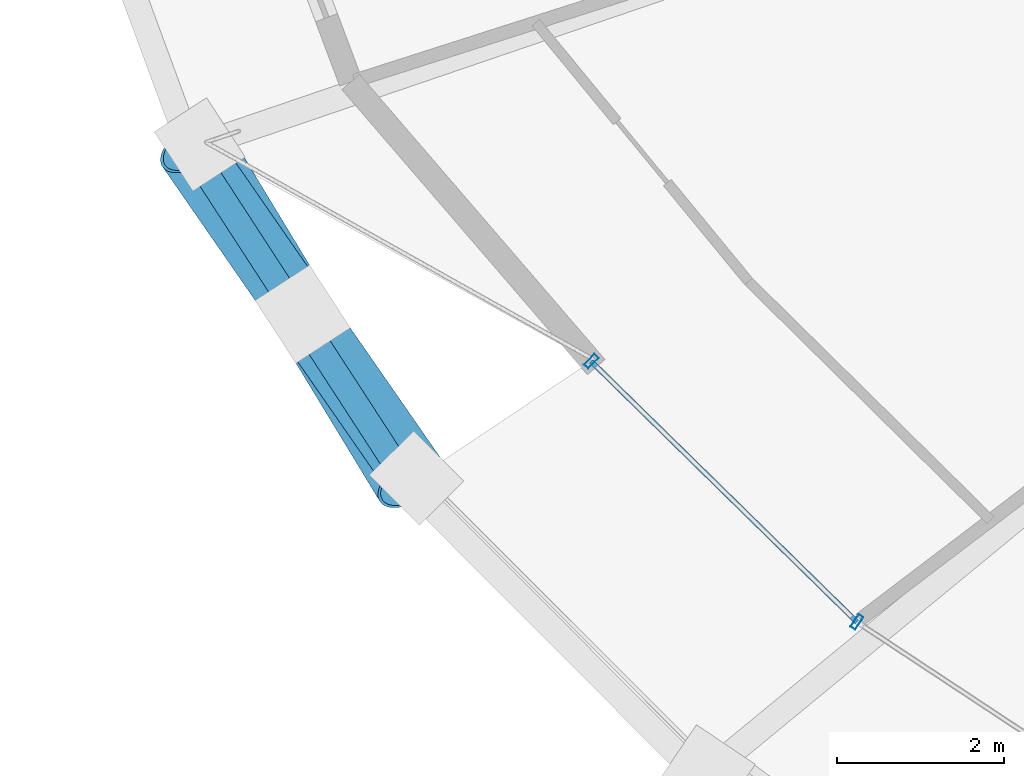
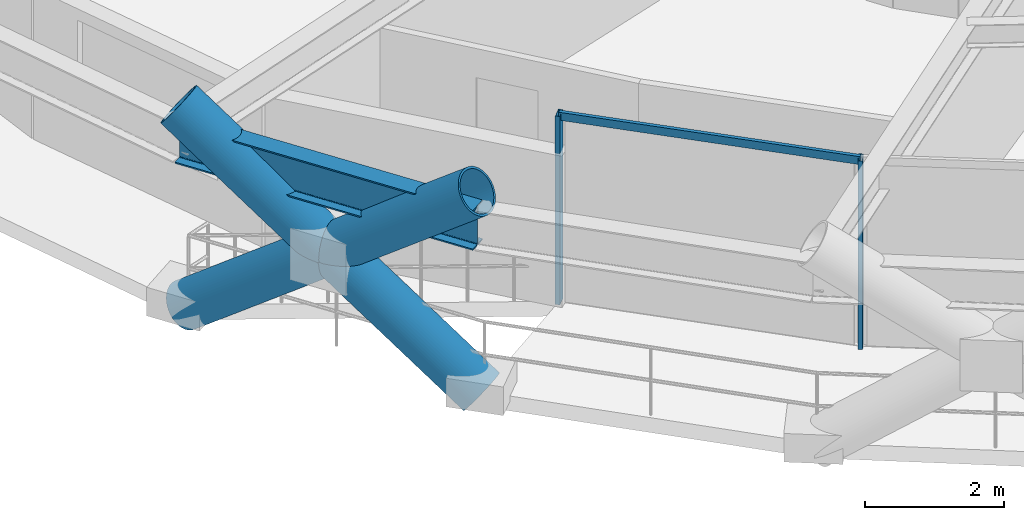
# One storey, part 2 of 19: 6 members, 1 beam, 1 element without a shape of its own.
"""IFC4 building model written with IfcOpenShell, lengths in metres."""

import ifcopenshell
import ifcopenshell.guid

model = None  # the IFC model being written
_history = None  # IfcOwnerHistory: only IFC2X3 demands one
_inside = {}  # id of a spatial element -> (the spatial element, [elements in it])
_under = {}  # id of a project, library or spatial element -> (it, [spatial elements below it])
_declared = {}  # id of a project -> (the project, [libraries it declares])
_typed = {}  # id of a type object -> (the type object, [elements of that type])
_made_of = {}  # id of a material, layer set ... -> (it, [elements and type objects made of it])


def new_model(schema):
    """Start an empty IFC model of exactly this schema.

    Asked for "IFC4X3", IfcOpenShell would pick the latest addendum, in which some entities
    have other attributes; the version numbers below select the first issue.
    IFC2X3 requires an IfcOwnerHistory on every rooted entity: one is made here for all.
    """
    global model, _history
    if schema == "IFC4X3":
        model = ifcopenshell.file(schema_version=(4, 3, 0, 0))
    else:
        model = ifcopenshell.file(schema=schema)
    _inside.clear()
    _under.clear()
    _declared.clear()
    _typed.clear()
    _made_of.clear()
    _history = None
    if model.schema == "IFC2X3":
        org = make("IfcOrganization", Name="unknown")
        user = make(
            "IfcPersonAndOrganization",
            ThePerson=make("IfcPerson", FamilyName="unknown"),
            TheOrganization=org,
        )
        app = make(
            "IfcApplication",
            ApplicationDeveloper=org,
            Version="unknown",
            ApplicationFullName="unknown",
            ApplicationIdentifier="unknown",
        )
        _history = make(
            "IfcOwnerHistory",
            OwningUser=user,
            OwningApplication=app,
            ChangeAction="ADDED",
            CreationDate=0,
        )
    return model


def make(cls, **values):
    """One entity of the class cls with the attributes given. An attribute that is None is left unset."""
    return model.create_entity(
        cls, **{name: value for name, value in values.items() if value is not None}
    )


def rooted(cls, **values):
    """An entity with a GlobalId (a new one), such as an element, a storey or a relation."""
    return make(cls, GlobalId=ifcopenshell.guid.new(), OwnerHistory=_history, **values)


def si_unit(unit_type, name, prefix=None):
    """IfcSIUnit, for example si_unit("LENGTHUNIT", "METRE", prefix="MILLI")."""
    return make("IfcSIUnit", UnitType=unit_type, Prefix=prefix, Name=name)


def assignment(units):
    """IfcUnitAssignment: the units of a project."""
    return None if units is None else make("IfcUnitAssignment", Units=units)


def point(xyz):
    """IfcCartesianPoint."""
    return None if xyz is None else make("IfcCartesianPoint", Coordinates=xyz)


def direction(xyz):
    """IfcDirection."""
    return None if xyz is None else make("IfcDirection", DirectionRatios=xyz)


def frame(location, z_axis=None, x_axis=None):
    """IfcAxis2Placement3D, a coordinate frame: its origin and axes. An axis left out is left unset."""
    return make(
        "IfcAxis2Placement3D",
        Location=point(location),
        Axis=direction(z_axis),
        RefDirection=direction(x_axis),
    )


def frame_2d(location, x_axis=None):
    """IfcAxis2Placement2D, a coordinate frame in the plane: its origin and x axis."""
    return make(
        "IfcAxis2Placement2D", Location=point(location), RefDirection=direction(x_axis)
    )


def origin():
    """The frame at (0, 0, 0) with its axes left unset."""
    return frame((0.0, 0.0, 0.0))


def origin_2d():
    """The frame at (0, 0) in the plane with its x axis left unset."""
    return frame_2d((0.0, 0.0))


def place(relative_to, where):
    """IfcLocalPlacement: puts the frame where relative to a parent placement (None: the world)."""
    return make(
        "IfcLocalPlacement", PlacementRelTo=relative_to, RelativePlacement=where
    )


def context(
    kind, dimensions, precision=None, world=None, true_north=None, identifier=None
):
    """IfcGeometricRepresentationContext, for example the 3D "Model" context."""
    return make(
        "IfcGeometricRepresentationContext",
        ContextIdentifier=identifier,
        ContextType=kind,
        CoordinateSpaceDimension=dimensions,
        Precision=precision,
        WorldCoordinateSystem=world,
        TrueNorth=true_north,
    )


def subcontext(parent, identifier, kind, view, scale=None):
    """IfcGeometricRepresentationSubContext, for example "Body" below "Model"."""
    return make(
        "IfcGeometricRepresentationSubContext",
        ContextIdentifier=identifier,
        ContextType=kind,
        ParentContext=parent,
        TargetScale=scale,
        TargetView=view,
    )


def project(units=None, contexts=None):
    """IfcProject with its units and contexts."""
    return rooted(
        "IfcProject",
        Name="project",
        RepresentationContexts=contexts,
        UnitsInContext=assignment(units),
    )


def spatial(cls, under=None, at=None, **own):
    """A site, building, storey or space (cls), placed at a placement, below another one or the project."""
    s = rooted(cls, ObjectPlacement=at, **own)
    if under is not None:
        _under.setdefault(under.id(), (under, []))[1].append(s)
    return s


def profile(cls, at=None, kind="AREA", **sizes):
    """A parametric profile (cls). Its sizes go by their IFC names, for example OverallWidth=200.0."""
    return make(cls, ProfileType=kind, Position=at, **sizes)


def hollow_rectangle(**sizes):
    """IfcRectangleHollowProfileDef."""
    return profile("IfcRectangleHollowProfileDef", **sizes)


def hollow_circle(**sizes):
    """IfcCircleHollowProfileDef."""
    return profile("IfcCircleHollowProfileDef", **sizes)


def i_section(**sizes):
    """IfcIShapeProfileDef."""
    return profile("IfcIShapeProfileDef", **sizes)


def extrude(swept, where, along, depth):
    """IfcExtrudedAreaSolid: the profile swept, set in the frame where, extruded along a direction by depth."""
    return make(
        "IfcExtrudedAreaSolid",
        SweptArea=swept,
        Position=where,
        ExtrudedDirection=direction(along),
        Depth=depth,
    )


def shape(context_of_items, identifier, shape_type, items):
    """IfcShapeRepresentation: the items that make up one representation, for example the "Body"."""
    return make(
        "IfcShapeRepresentation",
        ContextOfItems=context_of_items,
        RepresentationIdentifier=identifier,
        RepresentationType=shape_type,
        Items=items,
    )


def material(Name=None, Category=None):
    """IfcMaterial."""
    return make("IfcMaterial", Name=Name, Category=Category)


def layer(
    of_material, thickness, ventilated=None, Name=None, Category=None, Priority=None
):
    """IfcMaterialLayer: one layer of a wall or slab, of a material (None: an air gap)."""
    return make(
        "IfcMaterialLayer",
        Material=of_material,
        LayerThickness=thickness,
        IsVentilated=ventilated,
        Name=Name,
        Category=Category,
        Priority=Priority,
    )


def layer_set(layers, Name=None):
    """IfcMaterialLayerSet."""
    return make("IfcMaterialLayerSet", MaterialLayers=layers, LayerSetName=Name)


def material_profile(
    of_material, cross_section, Name=None, Category=None, Priority=None
):
    """IfcMaterialProfile: a cross section and its material."""
    return make(
        "IfcMaterialProfile",
        Name=Name,
        Material=of_material,
        Profile=cross_section,
        Priority=Priority,
        Category=Category,
    )


def profile_set(profiles, Name=None, composite=None):
    """IfcMaterialProfileSet."""
    return make(
        "IfcMaterialProfileSet",
        Name=Name,
        MaterialProfiles=profiles,
        CompositeProfile=composite,
    )


def made_of(thing, what):
    """Note that an element or type object is made of a material, layer set ...; save() writes the relation."""
    if what is not None:
        _made_of.setdefault(what.id(), (what, []))[1].append(thing)
    return thing


def type_object(cls, material=None, **own):
    """A type object (cls), such as IfcWallType, which elements share."""
    return made_of(rooted(cls, **own), material)


def element(
    cls,
    number,
    at=None,
    inside=None,
    cuts=None,
    type_object=None,
    material=None,
    context=None,
    identifier="Body",
    shape_type=None,
    held_by="IfcProductDefinitionShape",
    body=None,
    shapes=None,
    **own,
):
    """One element of the class cls, such as IfcWall. Its Tag is "e" and its number.

    at: its placement. inside: the storey or other place that contains it. cuts: it is an
    opening in that element (IfcRelVoidsElement). A single representation is given by context,
    identifier, shape_type and body (its items); several are given by shapes. held_by: the class
    of the entity that holds the representations. save() writes the other relations.
    """
    e = rooted(cls, Tag="e%d" % number, ObjectPlacement=at, **own)
    if body is not None:
        shapes = [shape(context, identifier, shape_type, body)]
    if shapes is not None:
        e.Representation = make(held_by, Representations=shapes)
    if inside is not None:
        _inside.setdefault(inside.id(), (inside, []))[1].append(e)
    if cuts is not None:
        rooted(
            "IfcRelVoidsElement", RelatingBuildingElement=cuts, RelatedOpeningElement=e
        )
    if type_object is not None:
        _typed.setdefault(type_object.id(), (type_object, []))[1].append(e)
    return made_of(e, material)


def aggregate(whole, parts):
    """IfcRelAggregates: a whole, such as a stair, and the parts it consists of."""
    return rooted("IfcRelAggregates", RelatingObject=whole, RelatedObjects=parts)


def save(model, path):
    """Write the relations noted so far, then the file.

    IfcRelAggregates (storeys below a building ...), IfcRelContainedInSpatialStructure (elements
    in a storey), IfcRelDefinesByType, IfcRelAssociatesMaterial and IfcRelDeclares: one each for
    every whole, place, type object, material and project.
    """
    for whole, parts in _under.values():
        aggregate(whole, parts)
    for where, things in _inside.values():
        rooted(
            "IfcRelContainedInSpatialStructure",
            RelatedElements=things,
            RelatingStructure=where,
        )
    for kind, things in _typed.values():
        rooted("IfcRelDefinesByType", RelatedObjects=things, RelatingType=kind)
    for what, things in _made_of.values():
        rooted("IfcRelAssociatesMaterial", RelatedObjects=things, RelatingMaterial=what)
    for by, libraries in _declared.values():
        rooted("IfcRelDeclares", RelatingContext=by, RelatedDefinitions=libraries)
    model.write(path)


model = new_model("IFC4")

# Units and contexts
model_context = context("Model", 3, precision=1e-05, world=origin(), true_north=direction((0.0, 1.0)))
body_context = subcontext(model_context, "Body", "Model", "MODEL_VIEW")
ifc_project = project(units=[si_unit("LENGTHUNIT", "METRE"), si_unit("AREAUNIT", "SQUARE_METRE"), si_unit("VOLUMEUNIT", "CUBIC_METRE"), si_unit("PLANEANGLEUNIT", "RADIAN"), si_unit("MASSUNIT", "GRAM", prefix="KILO")], contexts=[model_context])

# Site, building, storey
site_placement = place(None, origin())
site = spatial("IfcSite", under=ifc_project, at=site_placement, CompositionType="ELEMENT")
building_placement = place(site_placement, origin())
building = spatial("IfcBuilding", under=site, at=building_placement, Name="Veldorina Hangang Commons", CompositionType="ELEMENT")
storey_placement = place(building_placement, frame((0.0, 0.0, 44.800048828125)))
storey = spatial("IfcBuildingStorey", under=building, at=storey_placement, Name="L10", CompositionType="ELEMENT", Elevation=44.800048828125)

# Beam
ifc_material_1 = material(Name="Steel SM460-TMC", Category="steel")
ifc_material_profile_1 = material_profile(ifc_material_1, i_section(OverallWidth=0.300048828125, OverallDepth=0.699951171875, WebThickness=0.012939453125, FlangeThickness=0.02392578125, FilletRadius=0.02197265625, at=origin_2d()), Name="H-700x300x13x24")
ifc_profile_set_1 = profile_set([ifc_material_profile_1], Name="Steel SM460-TMC")
beam_type = type_object("IfcBeamType", Name="BM-RB700", PredefinedType="BEAM", material=ifc_profile_set_1)
beam_placement = place(storey_placement, frame((5.879150390625, 15.09375, 2.989990234375), z_axis=(0.544594750005, -0.838699325305, 0.0), x_axis=(0.838699325305, 0.544594750005, 0.0)))
element("IfcBeam", 1, at=beam_placement, inside=storey, type_object=beam_type, Name="L10 perimeter hoop ring beam 18", PredefinedType="BEAM", context=body_context, shape_type="SweptSolid", body=[
    extrude(i_section(OverallWidth=0.300048828125, OverallDepth=0.699951171875, WebThickness=0.012939453125, FlangeThickness=0.02392578125, FilletRadius=0.02197265625, at=origin_2d()), origin(), (0.0, 0.0, 1.0), 4.797119140625),
])

# Curtain wall, members
ifc_material_2 = material(Name="Glass Low-E Triple IGU", Category="glass")
ifc_layer = layer(ifc_material_2, 0.179931640625)
ifc_layer_set = layer_set([ifc_layer], Name="Glass Low-E Triple IGU")
curtain_wall_type = type_object("IfcCurtainWallType", Name="CW-SYS-Z1", PredefinedType="NOTDEFINED", material=ifc_layer_set)
curtain_wall_placement = place(storey_placement, origin())
curtain_wall = element("IfcCurtainWall", 2, at=curtain_wall_placement, inside=storey, type_object=curtain_wall_type, Name="L10 unitised curtain wall CW-L10-R1", PredefinedType="NOTDEFINED")
ifc_material_3 = material(Name="Aluminium Anodized AA6063-T6", Category="aluminium")
ifc_material_profile_2 = material_profile(ifc_material_3, hollow_rectangle(XDim=0.070068359375, YDim=0.179931640625, WallThickness=0.00390625, at=origin_2d()), Name="ALU-RHS-180x70x4")
ifc_profile_set_2 = profile_set([ifc_material_profile_2], Name="Aluminium Anodized AA6063-T6")
member_type_1 = type_object("IfcMemberType", Name="CW-MUL-180", PredefinedType="MULLION", material=ifc_profile_set_2)
member_1_placement = place(storey_placement, frame((10.688720703125, 12.5380859375, 0.0), z_axis=(0.0, 0.0, 1.0), x_axis=(0.713922945025, -0.700224270192, 0.0)))
member_1 = element("IfcMember", 3, at=member_1_placement, type_object=member_type_1, Name="CW-L10-R1 vertical mullion 1", PredefinedType="MULLION", context=body_context, shape_type="SweptSolid", body=[
    extrude(hollow_rectangle(XDim=0.070068359375, YDim=0.179931640625, WallThickness=0.00390625, at=origin_2d()), origin(), (0.0, 0.0, 1.0), 3.300048828125),
])
member_2_placement = place(storey_placement, frame((13.876220703125, 9.411865234375, 0.0), z_axis=(0.0, 0.0, 1.0), x_axis=(0.834386400687, -0.551179947339, 0.0)))
member_2 = element("IfcMember", 4, at=member_2_placement, type_object=member_type_1, Name="CW-L10-R1 vertical mullion 2", PredefinedType="MULLION", context=body_context, shape_type="SweptSolid", body=[
    extrude(hollow_rectangle(XDim=0.070068359375, YDim=0.179931640625, WallThickness=0.00390625, at=origin_2d()), origin(), (0.0, 0.0, 1.0), 3.300048828125),
])
ifc_material_profile_3 = material_profile(ifc_material_3, hollow_rectangle(XDim=0.06005859375, YDim=0.139892578125, WallThickness=0.00341796875, at=origin_2d()), Name="ALU-RHS-140x60x3.5")
ifc_profile_set_3 = profile_set([ifc_material_profile_3], Name="Aluminium Anodized AA6063-T6")
member_type_2 = type_object("IfcMemberType", Name="CW-TRN-140", PredefinedType="USERDEFINED", material=ifc_profile_set_3)
member_3_placement = place(storey_placement, frame((10.688720703125, 12.5380859375, 3.260009765625), z_axis=(0.713936145812, -0.700210810901, 0.0), x_axis=(0.700210810901, 0.713936145812, 0.0)))
member_3 = element("IfcMember", 5, at=member_3_placement, type_object=member_type_2, Name="CW-L10-R1 facet 1 transom 1", ObjectType="TRANSOM", PredefinedType="USERDEFINED", context=body_context, shape_type="SweptSolid", body=[
    extrude(hollow_rectangle(XDim=0.06005859375, YDim=0.139892578125, WallThickness=0.00341796875, at=origin_2d()), origin(), (0.0, 0.0, 1.0), 4.464599609375),
])
aggregate(curtain_wall, [member_1, member_2, member_3])

# Members
ifc_material_profile_4 = material_profile(ifc_material_1, hollow_circle(Radius=0.375, WallThickness=0.035888671875, at=origin_2d()), Name="CHS-750x36")
ifc_profile_set_4 = profile_set([ifc_material_profile_4], Name="Steel SM460-TMC")
member_type_3 = type_object("IfcMemberType", Name="DG-CHS750", PredefinedType="BRACE", material=ifc_profile_set_4)
member_4_placement = place(storey_placement, frame((5.9921875, 15.140625, 0.0), z_axis=(0.414404734367, -0.682743431281, 0.601772484562), x_axis=(0.854853086028, 0.518870119884, 0.0)))
element("IfcMember", 6, at=member_4_placement, inside=storey, type_object=member_type_3, Name="L10 continuous perimeter diagrid brace 18", PredefinedType="BRACE", context=body_context, shape_type="SweptSolid", body=[
    extrude(hollow_circle(Radius=0.375, WallThickness=0.035888671875, at=origin_2d()), origin(), (0.0, 0.0, 1.0), 5.982177734375),
])
member_5_placement = place(storey_placement, frame((8.593505859375, 11.13818359375, 0.0), z_axis=(-0.456470962401, 0.65720720972, 0.599760738943), x_axis=(-0.821324840422, -0.570460784371, 0.0)))
element("IfcMember", 7, at=member_5_placement, inside=storey, type_object=member_type_3, Name="L10 split perimeter diagrid lower brace 19", PredefinedType="BRACE", context=body_context, shape_type="SweptSolid", body=[
    extrude(hollow_circle(Radius=0.375, WallThickness=0.035888671875, at=origin_2d()), origin(), (0.0, 0.0, 1.0), 2.991943359375),
])
member_6_placement = place(storey_placement, frame((7.227783203125, 13.1044921875, 1.79443359375), z_axis=(-0.455674231097, 0.65771846564, 0.59980614791), x_axis=(-0.821998732713, -0.569489318089, 0.0)))
element("IfcMember", 8, at=member_6_placement, inside=storey, type_object=member_type_3, Name="L10 split perimeter diagrid upper brace 19", PredefinedType="BRACE", context=body_context, shape_type="SweptSolid", body=[
    extrude(hollow_circle(Radius=0.375, WallThickness=0.035888671875, at=origin_2d()), origin(), (0.0, 0.0, 1.0), 3.010009765625),
])

save(model, "model.ifc")
